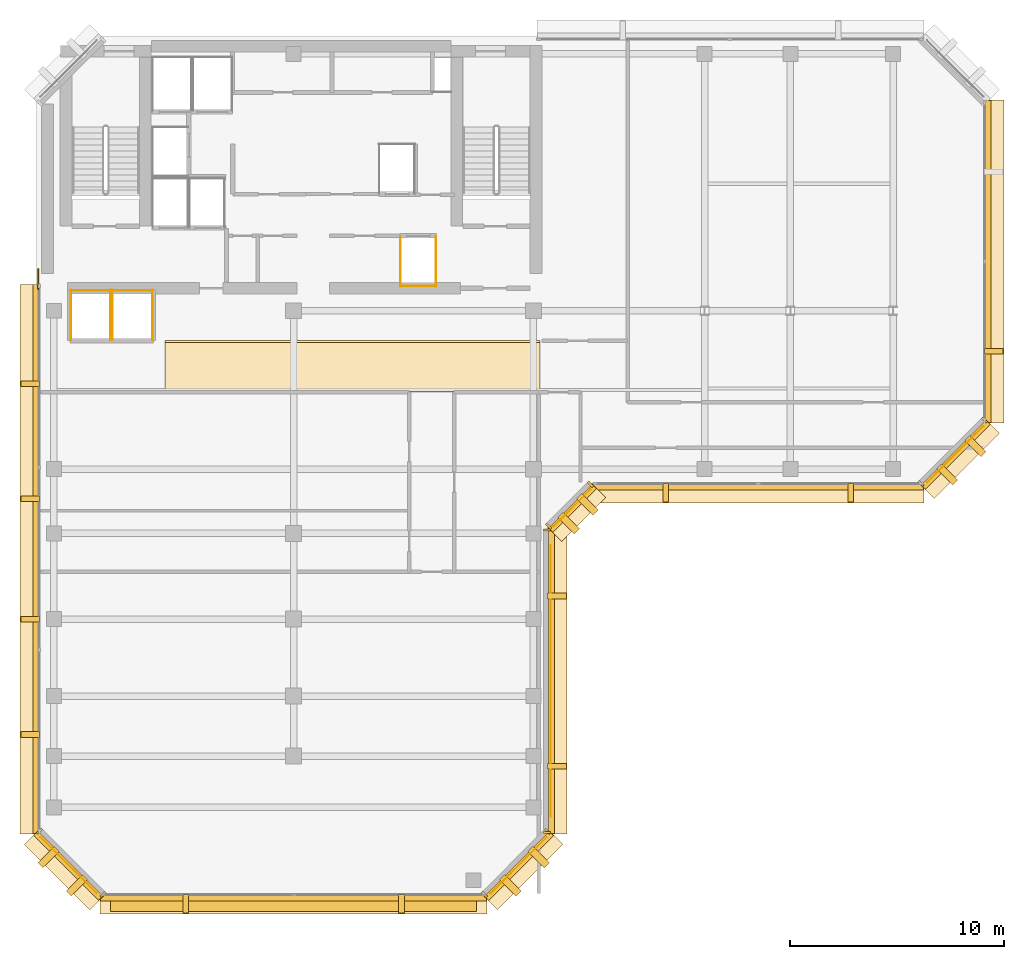
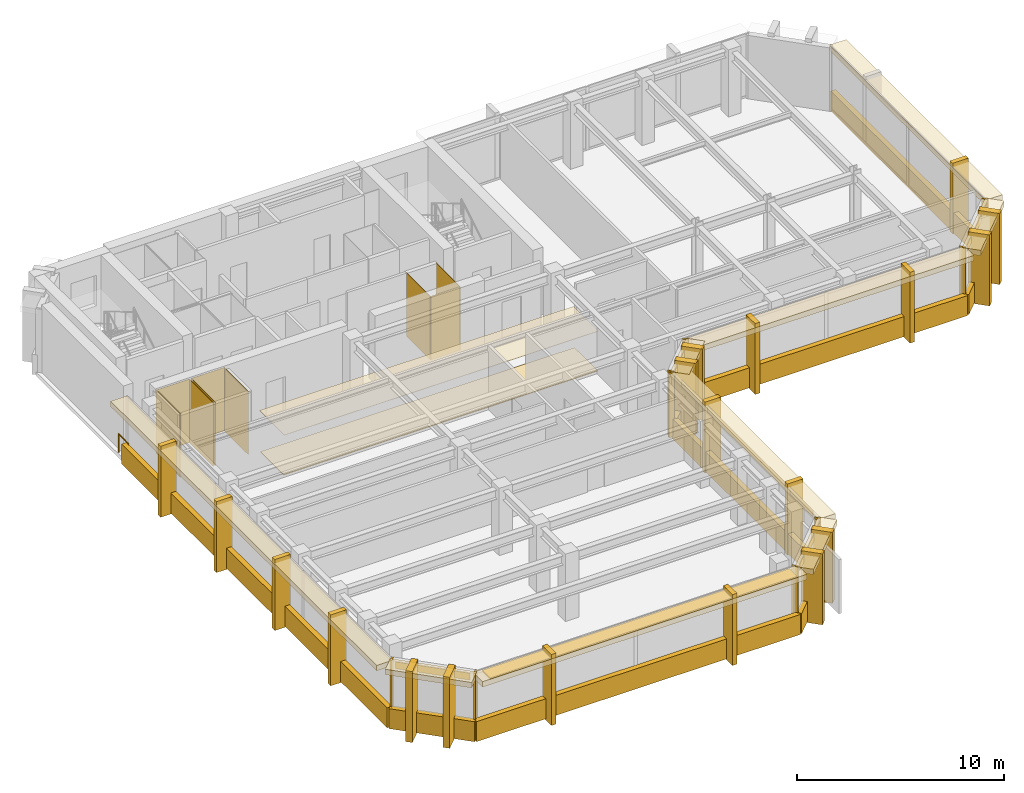
# One storey, part 9 of 11: 63 coverings, 1 railing, 1 shading device.
"""IFC4 building model written with IfcOpenShell, lengths in metres."""

from ifc_helpers import new_model, si_unit, direction, frame, origin, origin_2d, place, context, subcontext, project, spatial, polyline, rectangle, circle, outline, extrude, material, layer, layer_set, type_object, element, save


model = new_model("IFC4")

# Units and contexts
model_context = context("Model", 3, precision=1e-05, world=origin(), true_north=direction((0.0, 1.0)))
body_context = subcontext(model_context, "Body", "Model", "MODEL_VIEW")
ifc_project = project(units=[si_unit("LENGTHUNIT", "METRE"), si_unit("AREAUNIT", "SQUARE_METRE"), si_unit("VOLUMEUNIT", "CUBIC_METRE"), si_unit("PLANEANGLEUNIT", "RADIAN"), si_unit("MASSUNIT", "GRAM", prefix="KILO")], contexts=[model_context])

# Site, building, storey
site_placement = place(None, origin())
site = spatial("IfcSite", under=ifc_project, at=site_placement, CompositionType="ELEMENT")
building_placement = place(site_placement, origin())
building = spatial("IfcBuilding", under=site, at=building_placement, Name="Kefirva Bronze Tower", CompositionType="ELEMENT")
storey_placement = place(building_placement, frame((0.0, 0.0, 323.72998046875)))
storey = spatial("IfcBuildingStorey", under=building, at=storey_placement, Name="L79", CompositionType="ELEMENT", Elevation=323.72998046875)

# Coverings
ifc_material_1 = material(Name="Acoustic mineral tile")
ifc_layer_1 = layer(ifc_material_1, 0.02490234375, Name="Acoustic mineral tile")
ifc_layer_set_1 = layer_set([ifc_layer_1], Name="Acoustic mineral tile")
covering_type_1 = type_object("IfcCoveringType", Name="Acoustic Mineral Suspended Ceiling 25mm", PredefinedType="CEILING", material=ifc_layer_set_1)
covering_1_placement = place(storey_placement, frame((0.0, 0.0, 2.39990234375)))
element("IfcCovering", 1, at=covering_1_placement, inside=storey, type_object=covering_type_1, Name="L79 Corridor Acoustic Ceiling", PredefinedType="CEILING", context=body_context, shape_type="SweptSolid", body=[
    extrude(outline(polyline([(6.0, 29.39990234375), (23.5, 29.39990234375), (23.5, 31.800048828125), (6.0, 31.800048828125), (6.0, 29.39990234375)])), origin(), (0.0, 0.0, 1.0), 0.025146484375),
])
ifc_material_2 = material(Name="Bronze anodised aluminium", Category="aluminium")
ifc_layer_2 = layer(ifc_material_2, 0.02001953125, Name="Bronze anodised aluminium")
ifc_layer_set_2 = layer_set([ifc_layer_2], Name="Bronze anodised aluminium")
covering_type_2 = type_object("IfcCoveringType", Name="Anodised Bronze Spandrel Cladding 20mm", PredefinedType="CLADDING", material=ifc_layer_set_2)
covering_2_placement = place(storey_placement, frame((12.0, 5.760009765625, -0.16015625), z_axis=(0.0, 0.0, 1.0), x_axis=(1.0, 0.0, 0.0)))
element("IfcCovering", 2, at=covering_2_placement, inside=storey, type_object=covering_type_2, Name="L79 Streamline Horizontal Spandrel Band 0", PredefinedType="CLADDING", context=body_context, shape_type="SweptSolid", body=[
    extrude(rectangle(XDim=18.0400390625, YDim=0.280029296875, at=origin_2d()), origin(), (0.0, 0.0, 1.0), 1.179931640625),
])
covering_3_placement = place(storey_placement, frame((22.507080078125, 7.29296875, 3.320068359375), z_axis=(0.0, 0.0, 1.0), x_axis=(0.707106781187, 0.707106781187, 0.0)))
element("IfcCovering", 3, at=covering_3_placement, inside=storey, type_object=covering_type_2, Name="L79 Bronze Spandrel Cladding 1", PredefinedType="CLADDING", context=body_context, shape_type="SweptSolid", body=[
    extrude(rectangle(XDim=3.719482421875, YDim=0.02001953125, at=origin_2d()), origin(), (0.0, 0.0, 1.0), 0.39990234375),
])
for number, where, z_axis, x_axis, name in (
    (4, (20.91162109375, 5.93798828125, 0.0), (0.0, 0.0, 1.0), (0.707106781187, 0.707106781187, 0.0), "L79 Facade Joint Closure Panel 1S"),
    (5, (23.862060546875, 8.88818359375, 0.0), (0.0, 0.0, 1.0), (0.707106781187, 0.707106781187, 0.0), "L79 Facade Joint Closure Panel 1E"),
):
    element("IfcCovering", number, at=place(storey_placement, frame(where, z_axis=z_axis, x_axis=x_axis)), inside=storey, type_object=covering_type_2, Name=name, PredefinedType="CLADDING", context=body_context, shape_type="SweptSolid", body=[
        extrude(rectangle(XDim=0.10009765625, YDim=0.320068359375, at=origin_2d()), origin(), (0.0, 0.0, 1.0), 3.739990234375),
    ])
covering_4_placement = place(storey_placement, frame((22.5283203125, 7.271728515625, -0.16015625), z_axis=(0.0, 0.0, 1.0), x_axis=(0.707106781187, 0.707106781187, 0.0)))
element("IfcCovering", 6, at=covering_4_placement, inside=storey, type_object=covering_type_2, Name="L79 Streamline Horizontal Spandrel Band 1", PredefinedType="CLADDING", context=body_context, shape_type="SweptSolid", body=[
    extrude(rectangle(XDim=4.28271484375, YDim=0.280029296875, at=origin_2d()), origin(), (0.0, 0.0, 1.0), 1.179931640625),
])
covering_5_placement = place(storey_placement, frame((24.010009765625, 15.89990234375, 3.320068359375), z_axis=(0.0, 0.0, 1.0), x_axis=(0.0, 1.0, 0.0)))
element("IfcCovering", 7, at=covering_5_placement, inside=storey, type_object=covering_type_2, Name="L79 Bronze Spandrel Cladding 2", PredefinedType="CLADDING", context=body_context, shape_type="SweptSolid", body=[
    extrude(rectangle(XDim=12.680908203125, YDim=0.02001953125, at=origin_2d()), origin(), (0.0, 0.0, 1.0), 0.39990234375),
])
for number, where, z_axis, x_axis, name in (
    (8, (23.840087890625, 8.8349609375, 0.0), (0.0, 0.0, 1.0), (0.0, 1.0, 0.0), "L79 Facade Joint Closure Panel 2S"),
    (9, (23.840087890625, 22.965087890625, 0.0), (0.0, 0.0, 1.0), (0.0, 1.0, 0.0), "L79 Facade Joint Closure Panel 2E"),
):
    element("IfcCovering", number, at=place(storey_placement, frame(where, z_axis=z_axis, x_axis=x_axis)), inside=storey, type_object=covering_type_2, Name=name, PredefinedType="CLADDING", context=body_context, shape_type="SweptSolid", body=[
        extrude(rectangle(XDim=0.10009765625, YDim=0.320068359375, at=origin_2d()), origin(), (0.0, 0.0, 1.0), 3.739990234375),
    ])
covering_6_placement = place(storey_placement, frame((24.0400390625, 15.89990234375, -0.16015625), z_axis=(0.0, 0.0, 1.0), x_axis=(0.0, 1.0, 0.0)))
element("IfcCovering", 10, at=covering_6_placement, inside=storey, type_object=covering_type_2, Name="L79 Streamline Horizontal Spandrel Band 2", PredefinedType="CLADDING", context=body_context, shape_type="SweptSolid", body=[
    extrude(rectangle(XDim=14.239990234375, YDim=0.280029296875, at=origin_2d()), origin(), (0.0, 0.0, 1.0), 1.179931640625),
])
covering_7_placement = place(storey_placement, frame((25.007080078125, 23.992919921875, 3.320068359375), z_axis=(0.0, 0.0, 1.0), x_axis=(0.707106781187, 0.707106781187, 0.0)))
element("IfcCovering", 11, at=covering_7_placement, inside=storey, type_object=covering_type_2, Name="L79 Bronze Spandrel Cladding 3", PredefinedType="CLADDING", context=body_context, shape_type="SweptSolid", body=[
    extrude(rectangle(XDim=2.446533203125, YDim=0.02001953125, at=origin_2d()), origin(), (0.0, 0.0, 1.0), 0.39990234375),
])
for number, where, z_axis, x_axis, name in (
    (12, (23.91162109375, 23.137939453125, 0.0), (0.0, 0.0, 1.0), (0.707106781187, 0.707106781187, 0.0), "L79 Facade Joint Closure Panel 3S"),
    (13, (25.862060546875, 25.08837890625, 0.0), (0.0, 0.0, 1.0), (0.707106781187, 0.707106781187, 0.0), "L79 Facade Joint Closure Panel 3E"),
):
    element("IfcCovering", number, at=place(storey_placement, frame(where, z_axis=z_axis, x_axis=x_axis)), inside=storey, type_object=covering_type_2, Name=name, PredefinedType="CLADDING", context=body_context, shape_type="SweptSolid", body=[
        extrude(rectangle(XDim=0.10009765625, YDim=0.320068359375, at=origin_2d()), origin(), (0.0, 0.0, 1.0), 3.739990234375),
    ])
covering_8_placement = place(storey_placement, frame((25.0283203125, 23.9716796875, -0.16015625), z_axis=(0.0, 0.0, 1.0), x_axis=(0.707106781187, 0.707106781187, 0.0)))
element("IfcCovering", 14, at=covering_8_placement, inside=storey, type_object=covering_type_2, Name="L79 Streamline Horizontal Spandrel Band 3", PredefinedType="CLADDING", context=body_context, shape_type="SweptSolid", body=[
    extrude(rectangle(XDim=2.868408203125, YDim=0.280029296875, at=origin_2d()), origin(), (0.0, 0.0, 1.0), 1.179931640625),
])
covering_9_placement = place(storey_placement, frame((33.699951171875, 24.9599609375, -0.16015625), z_axis=(0.0, 0.0, 1.0), x_axis=(1.0, 0.0, 0.0)))
element("IfcCovering", 15, at=covering_9_placement, inside=storey, type_object=covering_type_2, Name="L79 Streamline Horizontal Spandrel Band 4", PredefinedType="CLADDING", context=body_context, shape_type="SweptSolid", body=[
    extrude(rectangle(XDim=15.43994140625, YDim=0.280029296875, at=origin_2d()), origin(), (0.0, 0.0, 1.0), 1.179931640625),
])
covering_10_placement = place(storey_placement, frame((42.906982421875, 26.492919921875, 3.320068359375), z_axis=(0.0, 0.0, 1.0), x_axis=(0.707106781187, 0.707106781187, 0.0)))
element("IfcCovering", 16, at=covering_10_placement, inside=storey, type_object=covering_type_2, Name="L79 Bronze Spandrel Cladding 4", PredefinedType="CLADDING", context=body_context, shape_type="SweptSolid", body=[
    extrude(rectangle(XDim=3.719482421875, YDim=0.02001953125, at=origin_2d()), origin(), (0.0, 0.0, 1.0), 0.39990234375),
])
for number, where, z_axis, x_axis, name in (
    (17, (41.311767578125, 25.137939453125, 0.0), (0.0, 0.0, 1.0), (0.707106781187, 0.707106781187, 0.0), "L79 Facade Joint Closure Panel 4S"),
    (18, (44.26220703125, 28.08837890625, 0.0), (0.0, 0.0, 1.0), (0.707106781187, 0.707106781187, 0.0), "L79 Facade Joint Closure Panel 4E"),
):
    element("IfcCovering", number, at=place(storey_placement, frame(where, z_axis=z_axis, x_axis=x_axis)), inside=storey, type_object=covering_type_2, Name=name, PredefinedType="CLADDING", context=body_context, shape_type="SweptSolid", body=[
        extrude(rectangle(XDim=0.10009765625, YDim=0.320068359375, at=origin_2d()), origin(), (0.0, 0.0, 1.0), 3.739990234375),
    ])
covering_11_placement = place(storey_placement, frame((42.92822265625, 26.4716796875, -0.16015625), z_axis=(0.0, 0.0, 1.0), x_axis=(0.707106781187, 0.707106781187, 0.0)))
element("IfcCovering", 19, at=covering_11_placement, inside=storey, type_object=covering_type_2, Name="L79 Streamline Horizontal Spandrel Band 5", PredefinedType="CLADDING", context=body_context, shape_type="SweptSolid", body=[
    extrude(rectangle(XDim=4.28271484375, YDim=0.280029296875, at=origin_2d()), origin(), (0.0, 0.0, 1.0), 1.179931640625),
])
covering_12_placement = place(storey_placement, frame((44.43994140625, 35.5, -0.16015625), z_axis=(0.0, 0.0, 1.0), x_axis=(0.0, 1.0, 0.0)))
element("IfcCovering", 20, at=covering_12_placement, inside=storey, type_object=covering_type_2, Name="L79 Streamline Horizontal Spandrel Band 6", PredefinedType="CLADDING", context=body_context, shape_type="SweptSolid", body=[
    extrude(rectangle(XDim=15.0400390625, YDim=0.280029296875, at=origin_2d()), origin(), (0.0, 0.0, 1.0), 1.179931640625),
])
covering_13_placement = place(storey_placement, frame((-0.0400390625, 21.597412109375, -0.16015625), z_axis=(0.0, 0.0, 1.0), x_axis=(0.0, -1.0, 0.0)))
element("IfcCovering", 21, at=covering_13_placement, inside=storey, type_object=covering_type_2, Name="L79 Streamline Horizontal Spandrel Band 10", PredefinedType="CLADDING", context=body_context, shape_type="SweptSolid", body=[
    extrude(rectangle(XDim=25.635009765625, YDim=0.280029296875, at=origin_2d()), origin(), (0.0, 0.0, 1.0), 1.179931640625),
])
covering_14_placement = place(storey_placement, frame((1.492919921875, 7.29296875, 3.320068359375), z_axis=(0.0, 0.0, 1.0), x_axis=(0.707106781187, -0.707106781187, 0.0)))
element("IfcCovering", 22, at=covering_14_placement, inside=storey, type_object=covering_type_2, Name="L79 Bronze Spandrel Cladding 7", PredefinedType="CLADDING", context=body_context, shape_type="SweptSolid", body=[
    extrude(rectangle(XDim=3.719482421875, YDim=0.02001953125, at=origin_2d()), origin(), (0.0, 0.0, 1.0), 0.39990234375),
])
for number, where, z_axis, x_axis, name in (
    (23, (0.137939453125, 8.88818359375, 0.0), (0.0, 0.0, 1.0), (0.707106781187, -0.707106781187, 0.0), "L79 Facade Joint Closure Panel 7S"),
    (24, (3.08837890625, 5.93798828125, 0.0), (0.0, 0.0, 1.0), (0.707106781187, -0.707106781187, 0.0), "L79 Facade Joint Closure Panel 7E"),
):
    element("IfcCovering", number, at=place(storey_placement, frame(where, z_axis=z_axis, x_axis=x_axis)), inside=storey, type_object=covering_type_2, Name=name, PredefinedType="CLADDING", context=body_context, shape_type="SweptSolid", body=[
        extrude(rectangle(XDim=0.10009765625, YDim=0.320068359375, at=origin_2d()), origin(), (0.0, 0.0, 1.0), 3.739990234375),
    ])
covering_15_placement = place(storey_placement, frame((1.4716796875, 7.271728515625, -0.16015625), z_axis=(0.0, 0.0, 1.0), x_axis=(0.707106781187, -0.707106781187, 0.0)))
element("IfcCovering", 25, at=covering_15_placement, inside=storey, type_object=covering_type_2, Name="L79 Streamline Horizontal Spandrel Band 11", PredefinedType="CLADDING", context=body_context, shape_type="SweptSolid", body=[
    extrude(rectangle(XDim=4.28271484375, YDim=0.280029296875, at=origin_2d()), origin(), (0.0, 0.0, 1.0), 1.179931640625),
])
covering_16_placement = place(storey_placement, origin())
element("IfcCovering", 26, at=covering_16_placement, inside=storey, type_object=covering_type_2, Name="L79 Lift OB1 Hoistway Liner N", PredefinedType="CLADDING", context=body_context, shape_type="SweptSolid", body=[
    extrude(outline(polyline([(1.580078125, 34.139892578125), (3.469970703125, 34.139892578125), (3.469970703125, 34.159912109375), (1.580078125, 34.159912109375), (1.580078125, 34.139892578125)])), origin(), (0.0, 0.0, 1.0), 3.739990234375),
])
covering_17_placement = place(storey_placement, origin())
element("IfcCovering", 27, at=covering_17_placement, inside=storey, type_object=covering_type_2, Name="L79 Lift OB1 Hoistway Liner W", PredefinedType="CLADDING", context=body_context, shape_type="SweptSolid", body=[
    extrude(outline(polyline([(1.590087890625, 31.830078125), (1.610107421875, 31.830078125), (1.610107421875, 34.169921875), (1.590087890625, 34.169921875), (1.590087890625, 31.830078125)])), origin(), (0.0, 0.0, 1.0), 3.739990234375),
])
covering_18_placement = place(storey_placement, origin())
element("IfcCovering", 28, at=covering_18_placement, inside=storey, type_object=covering_type_2, Name="L79 Lift OB1 Hoistway Liner E", PredefinedType="CLADDING", context=body_context, shape_type="SweptSolid", body=[
    extrude(outline(polyline([(3.43994140625, 31.830078125), (3.4599609375, 31.830078125), (3.4599609375, 34.169921875), (3.43994140625, 34.169921875), (3.43994140625, 31.830078125)])), origin(), (0.0, 0.0, 1.0), 3.739990234375),
])
covering_19_placement = place(storey_placement, origin())
element("IfcCovering", 29, at=covering_19_placement, inside=storey, type_object=covering_type_2, Name="L79 Lift OB2 Hoistway Liner N", PredefinedType="CLADDING", context=body_context, shape_type="SweptSolid", body=[
    extrude(outline(polyline([(3.530029296875, 34.139892578125), (5.419921875, 34.139892578125), (5.419921875, 34.159912109375), (3.530029296875, 34.159912109375), (3.530029296875, 34.139892578125)])), origin(), (0.0, 0.0, 1.0), 3.739990234375),
])
covering_20_placement = place(storey_placement, origin())
element("IfcCovering", 30, at=covering_20_placement, inside=storey, type_object=covering_type_2, Name="L79 Lift OB2 Hoistway Liner W", PredefinedType="CLADDING", context=body_context, shape_type="SweptSolid", body=[
    extrude(outline(polyline([(3.5400390625, 31.830078125), (3.56005859375, 31.830078125), (3.56005859375, 34.169921875), (3.5400390625, 34.169921875), (3.5400390625, 31.830078125)])), origin(), (0.0, 0.0, 1.0), 3.739990234375),
])
covering_21_placement = place(storey_placement, origin())
element("IfcCovering", 31, at=covering_21_placement, inside=storey, type_object=covering_type_2, Name="L79 Lift OB2 Hoistway Liner E", PredefinedType="CLADDING", context=body_context, shape_type="SweptSolid", body=[
    extrude(outline(polyline([(5.389892578125, 31.830078125), (5.409912109375, 31.830078125), (5.409912109375, 34.169921875), (5.389892578125, 34.169921875), (5.389892578125, 31.830078125)])), origin(), (0.0, 0.0, 1.0), 3.739990234375),
])
covering_22_placement = place(storey_placement, origin())
element("IfcCovering", 32, at=covering_22_placement, inside=storey, type_object=covering_type_2, Name="L79 Lift HP1 Hoistway Liner S", PredefinedType="CLADDING", context=body_context, shape_type="SweptSolid", body=[
    extrude(outline(polyline([(16.97998046875, 34.340087890625), (18.669921875, 34.340087890625), (18.669921875, 34.360107421875), (16.97998046875, 34.360107421875), (16.97998046875, 34.340087890625)])), origin(), (0.0, 0.0, 1.0), 3.739990234375),
])
covering_23_placement = place(storey_placement, origin())
element("IfcCovering", 33, at=covering_23_placement, inside=storey, type_object=covering_type_2, Name="L79 Lift HP1 Hoistway Liner W", PredefinedType="CLADDING", context=body_context, shape_type="SweptSolid", body=[
    extrude(outline(polyline([(16.989990234375, 34.330078125), (17.010009765625, 34.330078125), (17.010009765625, 36.669921875), (16.989990234375, 36.669921875), (16.989990234375, 34.330078125)])), origin(), (0.0, 0.0, 1.0), 3.739990234375),
])
covering_24_placement = place(storey_placement, origin())
element("IfcCovering", 34, at=covering_24_placement, inside=storey, type_object=covering_type_2, Name="L79 Lift HP1 Hoistway Liner E", PredefinedType="CLADDING", context=body_context, shape_type="SweptSolid", body=[
    extrude(outline(polyline([(18.639892578125, 34.330078125), (18.659912109375, 34.330078125), (18.659912109375, 36.669921875), (18.639892578125, 36.669921875), (18.639892578125, 34.330078125)])), origin(), (0.0, 0.0, 1.0), 3.739990234375),
])

# Shading device
ifc_layer_3 = layer(ifc_material_2, 0.090087890625, Name="Bronze anodised aluminium")
ifc_layer_set_3 = layer_set([ifc_layer_3], Name="Bronze anodised aluminium")
shading_device_type = type_object("IfcShadingDeviceType", Name="Horizontal Bronze Sunshade Band 750mm", PredefinedType="JALOUSIE", material=ifc_layer_set_3)
shading_device_placement = place(storey_placement, frame((12.0, 5.5048828125, 3.634765625), z_axis=(0.0, 0.0, 1.0), x_axis=(1.0, 0.0, 0.0)))
element("IfcShadingDevice", 35, at=shading_device_placement, inside=storey, type_object=shading_device_type, Name="L79 Horizontal Bronze Sunshade Band 0", PredefinedType="JALOUSIE", context=body_context, shape_type="SweptSolid", body=[
    extrude(rectangle(XDim=17.090087890625, YDim=0.75, at=origin_2d()), origin(), (0.0, 0.0, 1.0), 0.090087890625),
])

# Railing
ifc_material_3 = material(Name="Stainless steel 316", Category="steel")
railing_type = type_object("IfcRailingType", Name="Interior Stair Guardrail 1100mm", PredefinedType="GUARDRAIL", material=ifc_material_3)
railing_placement = place(storey_placement, frame((0.080078125, 34.199951171875, 0.0)))
element("IfcRailing", 36, at=railing_placement, inside=storey, type_object=railing_type, Name="L79 West Core Junction Guardrail", PredefinedType="GUARDRAIL", context=body_context, shape_type="SweptSolid", body=[
    extrude(circle(Radius=0.02392578125, at=origin_2d()), frame((0.0, 0.0, 1.076171875), z_axis=(0.0, 1.0, 0.0), x_axis=(-1.0, 0.0, 0.0)), (0.0, 0.0, 1.0), 0.949951171875),
    extrude(circle(Radius=0.02099609375, at=origin_2d()), origin(), (0.0, 0.0, 1.0), 1.052001953125),
    extrude(circle(Radius=0.02099609375, at=origin_2d()), frame((0.0, 0.949951171875, 0.0)), (0.0, 0.0, 1.0), 1.052001953125),
])

# Coverings
ifc_material_4 = material(Name="Calcium sulphate access tile")
ifc_layer_4 = layer(ifc_material_4, 0.044921875, Name="Calcium sulphate access tile")
ifc_layer_set_4 = layer_set([ifc_layer_4], Name="Calcium sulphate access tile")
covering_type_3 = type_object("IfcCoveringType", Name="Raised Access Office Flooring 45mm", PredefinedType="FLOORING", material=ifc_layer_set_4)
covering_25_placement = place(storey_placement, origin())
element("IfcCovering", 37, at=covering_25_placement, inside=storey, type_object=covering_type_3, Name="L79 Architectural Finish Flooring", PredefinedType="FLOORING", context=body_context, shape_type="SweptSolid", body=[
    extrude(outline(polyline([(6.0, 29.47998046875), (23.5, 29.47998046875), (23.5, 31.719970703125), (6.0, 31.719970703125), (6.0, 29.47998046875)])), origin(), (0.0, 0.0, 1.0), 0.044921875),
])
ifc_layer_5 = layer(ifc_material_2, 0.179931640625, Name="Bronze anodised aluminium")
ifc_layer_set_5 = layer_set([ifc_layer_5], Name="Bronze anodised aluminium")
covering_type_4 = type_object("IfcCoveringType", Name="Streamline Bronze Sunshade Eyebrow Cladding 180mm", PredefinedType="CLADDING", material=ifc_layer_set_5)
covering_26_placement = place(storey_placement, frame((12.0, 5.489990234375, 3.419921875), z_axis=(0.0, 0.0, 1.0), x_axis=(1.0, 0.0, 0.0)))
element("IfcCovering", 38, at=covering_26_placement, inside=storey, type_object=covering_type_4, Name="L79 Streamline Bronze Sunshade Eyebrow 0", PredefinedType="CLADDING", context=body_context, shape_type="SweptSolid", body=[
    extrude(rectangle(XDim=18.080078125, YDim=0.93994140625, at=origin_2d()), origin(), (0.0, 0.0, 1.0), 0.320068359375),
])
covering_27_placement = place(storey_placement, frame((22.71923828125, 7.080810546875, 3.419921875), z_axis=(0.0, 0.0, 1.0), x_axis=(0.707106781187, 0.707106781187, 0.0)))
element("IfcCovering", 39, at=covering_27_placement, inside=storey, type_object=covering_type_4, Name="L79 Streamline Bronze Sunshade Eyebrow 1", PredefinedType="CLADDING", context=body_context, shape_type="SweptSolid", body=[
    extrude(rectangle(XDim=4.322509765625, YDim=0.93994140625, at=origin_2d()), origin(), (0.0, 0.0, 1.0), 0.320068359375),
])
covering_28_placement = place(storey_placement, frame((24.31005859375, 15.89990234375, 3.419921875), z_axis=(0.0, 0.0, 1.0), x_axis=(0.0, 1.0, 0.0)))
element("IfcCovering", 40, at=covering_28_placement, inside=storey, type_object=covering_type_4, Name="L79 Streamline Bronze Sunshade Eyebrow 2", PredefinedType="CLADDING", context=body_context, shape_type="SweptSolid", body=[
    extrude(rectangle(XDim=14.280029296875, YDim=0.93994140625, at=origin_2d()), origin(), (0.0, 0.0, 1.0), 0.320068359375),
])
covering_29_placement = place(storey_placement, frame((25.21923828125, 23.78076171875, 3.419921875), z_axis=(0.0, 0.0, 1.0), x_axis=(0.707106781187, 0.707106781187, 0.0)))
element("IfcCovering", 41, at=covering_29_placement, inside=storey, type_object=covering_type_4, Name="L79 Streamline Bronze Sunshade Eyebrow 3", PredefinedType="CLADDING", context=body_context, shape_type="SweptSolid", body=[
    extrude(rectangle(XDim=2.908447265625, YDim=0.93994140625, at=origin_2d()), origin(), (0.0, 0.0, 1.0), 0.320068359375),
])
covering_30_placement = place(storey_placement, frame((33.699951171875, 24.68994140625, 3.419921875), z_axis=(0.0, 0.0, 1.0), x_axis=(1.0, 0.0, 0.0)))
element("IfcCovering", 42, at=covering_30_placement, inside=storey, type_object=covering_type_4, Name="L79 Streamline Bronze Sunshade Eyebrow 4", PredefinedType="CLADDING", context=body_context, shape_type="SweptSolid", body=[
    extrude(rectangle(XDim=15.47998046875, YDim=0.93994140625, at=origin_2d()), origin(), (0.0, 0.0, 1.0), 0.320068359375),
])
covering_31_placement = place(storey_placement, frame((43.119140625, 26.28076171875, 3.419921875), z_axis=(0.0, 0.0, 1.0), x_axis=(0.707106781187, 0.707106781187, 0.0)))
element("IfcCovering", 43, at=covering_31_placement, inside=storey, type_object=covering_type_4, Name="L79 Streamline Bronze Sunshade Eyebrow 5", PredefinedType="CLADDING", context=body_context, shape_type="SweptSolid", body=[
    extrude(rectangle(XDim=4.322509765625, YDim=0.93994140625, at=origin_2d()), origin(), (0.0, 0.0, 1.0), 0.320068359375),
])
covering_32_placement = place(storey_placement, frame((44.7099609375, 35.5, 3.419921875), z_axis=(0.0, 0.0, 1.0), x_axis=(0.0, 1.0, 0.0)))
element("IfcCovering", 44, at=covering_32_placement, inside=storey, type_object=covering_type_4, Name="L79 Streamline Bronze Sunshade Eyebrow 6", PredefinedType="CLADDING", context=body_context, shape_type="SweptSolid", body=[
    extrude(rectangle(XDim=15.080078125, YDim=0.93994140625, at=origin_2d()), origin(), (0.0, 0.0, 1.0), 0.320068359375),
])
covering_33_placement = place(storey_placement, frame((-0.31005859375, 21.597412109375, 3.419921875), z_axis=(0.0, 0.0, 1.0), x_axis=(0.0, -1.0, 0.0)))
element("IfcCovering", 45, at=covering_33_placement, inside=storey, type_object=covering_type_4, Name="L79 Streamline Bronze Sunshade Eyebrow 10", PredefinedType="CLADDING", context=body_context, shape_type="SweptSolid", body=[
    extrude(rectangle(XDim=25.675048828125, YDim=0.93994140625, at=origin_2d()), origin(), (0.0, 0.0, 1.0), 0.320068359375),
])
covering_34_placement = place(storey_placement, frame((1.28076171875, 7.080810546875, 3.419921875), z_axis=(0.0, 0.0, 1.0), x_axis=(0.707106781187, -0.707106781187, 0.0)))
element("IfcCovering", 46, at=covering_34_placement, inside=storey, type_object=covering_type_4, Name="L79 Streamline Bronze Sunshade Eyebrow 11", PredefinedType="CLADDING", context=body_context, shape_type="SweptSolid", body=[
    extrude(rectangle(XDim=4.322509765625, YDim=0.93994140625, at=origin_2d()), origin(), (0.0, 0.0, 1.0), 0.320068359375),
])
ifc_layer_6 = layer(ifc_material_2, 0.260009765625, Name="Bronze anodised aluminium")
ifc_layer_set_6 = layer_set([ifc_layer_6], Name="Bronze anodised aluminium")
covering_type_5 = type_object("IfcCoveringType", Name="Unbroken Bronze Buttress Fin Cladding 260mm", PredefinedType="CLADDING", material=ifc_layer_set_6)
for number, where, z_axis, x_axis, name in (
    (47, (6.9599609375, 5.5, -0.2197265625), (0.0, 0.0, 1.0), (1.0, 0.0, 0.0), "L79 Unbroken Vertical Bronze Rib Fin 1"),
    (48, (17.0400390625, 5.5, -0.2197265625), (0.0, 0.0, 1.0), (1.0, 0.0, 0.0), "L79 Unbroken Vertical Bronze Rib Fin 2"),
):
    element("IfcCovering", number, at=place(storey_placement, frame(where, z_axis=z_axis, x_axis=x_axis)), inside=storey, type_object=covering_type_5, Name=name, PredefinedType="CLADDING", context=body_context, shape_type="SweptSolid", body=[
        extrude(rectangle(XDim=0.260009765625, YDim=0.8798828125, at=origin_2d()), origin(), (0.0, 0.0, 1.0), 4.179931640625),
    ])
for number, where, z_axis, x_axis, name in (
    (49, (22.122802734375, 6.357177734375, -0.2197265625), (0.0, 0.0, 1.0), (0.707106781187, 0.707106781187, 0.0), "L79 Chamfered Corner Buttress Fin Cladding 3"),
    (50, (23.44287109375, 7.67724609375, -0.2197265625), (0.0, 0.0, 1.0), (0.707106781187, 0.707106781187, 0.0), "L79 Chamfered Corner Buttress Fin Cladding 4"),
):
    element("IfcCovering", number, at=place(storey_placement, frame(where, z_axis=z_axis, x_axis=x_axis)), inside=storey, type_object=covering_type_5, Name=name, PredefinedType="CLADDING", context=body_context, shape_type="SweptSolid", body=[
        extrude(rectangle(XDim=0.340087890625, YDim=1.080078125, at=origin_2d()), origin(), (0.0, 0.0, 1.0), 4.179931640625),
    ])
for number, where, z_axis, x_axis, name in (
    (51, (24.300048828125, 11.924072265625, -0.2197265625), (0.0, 0.0, 1.0), (0.0, 1.0, 0.0), "L79 Unbroken Vertical Bronze Rib Fin 5"),
    (52, (24.300048828125, 19.8759765625, -0.2197265625), (0.0, 0.0, 1.0), (0.0, 1.0, 0.0), "L79 Unbroken Vertical Bronze Rib Fin 6"),
):
    element("IfcCovering", number, at=place(storey_placement, frame(where, z_axis=z_axis, x_axis=x_axis)), inside=storey, type_object=covering_type_5, Name=name, PredefinedType="CLADDING", context=body_context, shape_type="SweptSolid", body=[
        extrude(rectangle(XDim=0.260009765625, YDim=0.8798828125, at=origin_2d()), origin(), (0.0, 0.0, 1.0), 4.179931640625),
    ])
for number, where, z_axis, x_axis, name in (
    (53, (24.8427734375, 23.277099609375, -0.2197265625), (0.0, 0.0, 1.0), (0.707106781187, 0.707106781187, 0.0), "L79 Chamfered Corner Buttress Fin Cladding 7"),
    (54, (25.722900390625, 24.1572265625, -0.2197265625), (0.0, 0.0, 1.0), (0.707106781187, 0.707106781187, 0.0), "L79 Chamfered Corner Buttress Fin Cladding 8"),
):
    element("IfcCovering", number, at=place(storey_placement, frame(where, z_axis=z_axis, x_axis=x_axis)), inside=storey, type_object=covering_type_5, Name=name, PredefinedType="CLADDING", context=body_context, shape_type="SweptSolid", body=[
        extrude(rectangle(XDim=0.340087890625, YDim=1.080078125, at=origin_2d()), origin(), (0.0, 0.0, 1.0), 4.179931640625),
    ])
for number, where, z_axis, x_axis, name in (
    (55, (29.387939453125, 24.699951171875, -0.2197265625), (0.0, 0.0, 1.0), (1.0, 0.0, 0.0), "L79 Unbroken Vertical Bronze Rib Fin 9"),
    (56, (38.011962890625, 24.699951171875, -0.2197265625), (0.0, 0.0, 1.0), (1.0, 0.0, 0.0), "L79 Unbroken Vertical Bronze Rib Fin 10"),
):
    element("IfcCovering", number, at=place(storey_placement, frame(where, z_axis=z_axis, x_axis=x_axis)), inside=storey, type_object=covering_type_5, Name=name, PredefinedType="CLADDING", context=body_context, shape_type="SweptSolid", body=[
        extrude(rectangle(XDim=0.260009765625, YDim=0.8798828125, at=origin_2d()), origin(), (0.0, 0.0, 1.0), 4.179931640625),
    ])
for number, where, z_axis, x_axis, name in (
    (57, (42.522705078125, 25.55712890625, -0.2197265625), (0.0, 0.0, 1.0), (0.707106781187, 0.707106781187, 0.0), "L79 Chamfered Corner Buttress Fin Cladding 11"),
    (58, (43.8427734375, 26.877197265625, -0.2197265625), (0.0, 0.0, 1.0), (0.707106781187, 0.707106781187, 0.0), "L79 Chamfered Corner Buttress Fin Cladding 12"),
):
    element("IfcCovering", number, at=place(storey_placement, frame(where, z_axis=z_axis, x_axis=x_axis)), inside=storey, type_object=covering_type_5, Name=name, PredefinedType="CLADDING", context=body_context, shape_type="SweptSolid", body=[
        extrude(rectangle(XDim=0.340087890625, YDim=1.080078125, at=origin_2d()), origin(), (0.0, 0.0, 1.0), 4.179931640625),
    ])
for number, where, z_axis, x_axis, name in (
    (59, (44.699951171875, 31.300048828125, -0.2197265625), (0.0, 0.0, 1.0), (0.0, 1.0, 0.0), "L79 Unbroken Vertical Bronze Rib Fin 13"),
    (60, (-0.300048828125, 29.787841796875, -0.2197265625), (0.0, 0.0, 1.0), (0.0, -1.0, 0.0), "L79 Unbroken Vertical Bronze Rib Fin 21"),
    (61, (-0.300048828125, 24.4130859375, -0.2197265625), (0.0, 0.0, 1.0), (0.0, -1.0, 0.0), "L79 Unbroken Vertical Bronze Rib Fin 22"),
    (62, (-0.300048828125, 18.781982421875, -0.2197265625), (0.0, 0.0, 1.0), (0.0, -1.0, 0.0), "L79 Unbroken Vertical Bronze Rib Fin 23"),
    (63, (-0.300048828125, 13.406982421875, -0.2197265625), (0.0, 0.0, 1.0), (0.0, -1.0, 0.0), "L79 Unbroken Vertical Bronze Rib Fin 24"),
):
    element("IfcCovering", number, at=place(storey_placement, frame(where, z_axis=z_axis, x_axis=x_axis)), inside=storey, type_object=covering_type_5, Name=name, PredefinedType="CLADDING", context=body_context, shape_type="SweptSolid", body=[
        extrude(rectangle(XDim=0.260009765625, YDim=0.8798828125, at=origin_2d()), origin(), (0.0, 0.0, 1.0), 4.179931640625),
    ])
for number, where, z_axis, x_axis, name in (
    (64, (0.55712890625, 7.67724609375, -0.2197265625), (0.0, 0.0, 1.0), (0.707106781187, -0.707106781187, 0.0), "L79 Chamfered Corner Buttress Fin Cladding 25"),
    (65, (1.877197265625, 6.357177734375, -0.2197265625), (0.0, 0.0, 1.0), (0.707106781187, -0.707106781187, 0.0), "L79 Chamfered Corner Buttress Fin Cladding 26"),
):
    element("IfcCovering", number, at=place(storey_placement, frame(where, z_axis=z_axis, x_axis=x_axis)), inside=storey, type_object=covering_type_5, Name=name, PredefinedType="CLADDING", context=body_context, shape_type="SweptSolid", body=[
        extrude(rectangle(XDim=0.340087890625, YDim=1.080078125, at=origin_2d()), origin(), (0.0, 0.0, 1.0), 4.179931640625),
    ])

save(model, "model.ifc")
